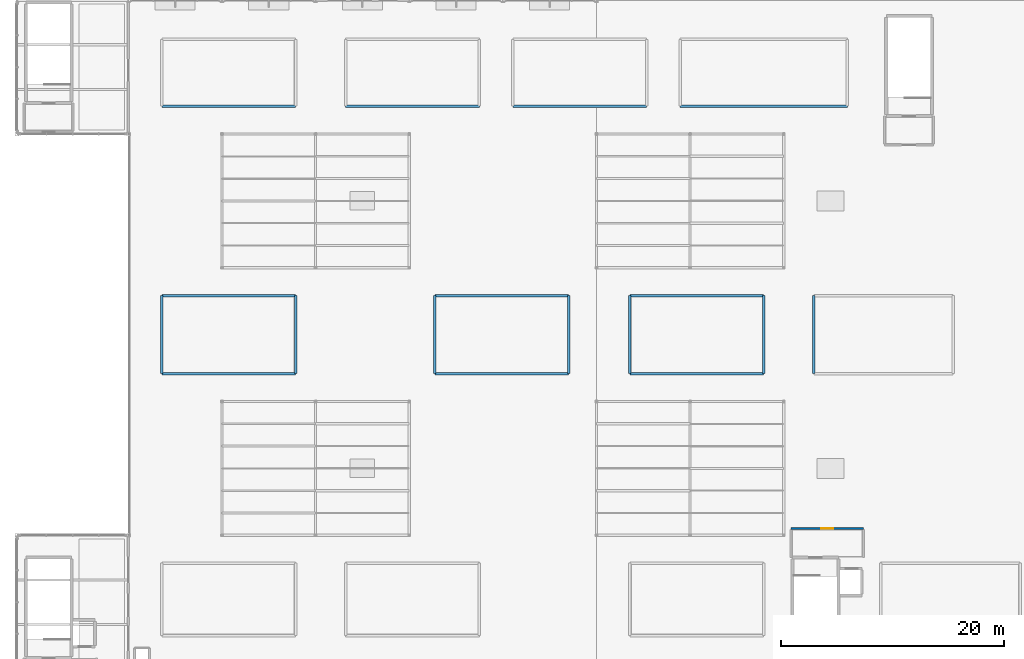
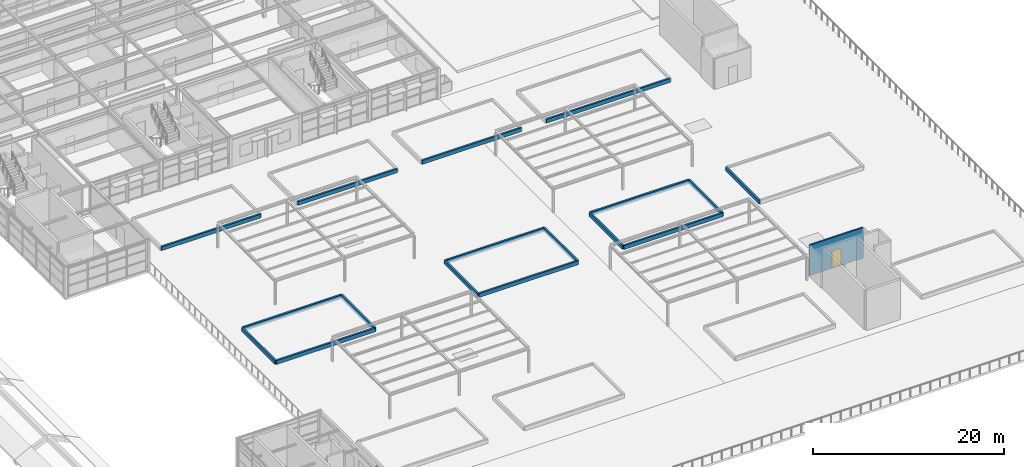
# One storey, part 40 of 49: 18 walls, 1 door, 1 opening.
"""IFC4 building model written with IfcOpenShell, lengths in metres."""

from ifc_helpers import new_model, si_unit, direction, frame, frame_2d, origin, place, context, subcontext, project, spatial, rectangle, extrude, material, layer, layer_set, type_object, element, fill, save


model = new_model("IFC4")

# Units and contexts
model_context = context("Model", 3, precision=1e-05, world=origin(), true_north=direction((0.0, 1.0)))
body_context = subcontext(model_context, "Body", "Model", "MODEL_VIEW")
ifc_project = project(units=[si_unit("LENGTHUNIT", "METRE"), si_unit("AREAUNIT", "SQUARE_METRE"), si_unit("VOLUMEUNIT", "CUBIC_METRE"), si_unit("PLANEANGLEUNIT", "RADIAN"), si_unit("MASSUNIT", "GRAM", prefix="KILO")], contexts=[model_context])

# Site, building, storey
site_placement = place(None, origin())
site = spatial("IfcSite", under=ifc_project, at=site_placement, CompositionType="ELEMENT")
building_placement = place(site_placement, origin())
building = spatial("IfcBuilding", under=site, at=building_placement, Name="Sitalva Quay Ferry Terminal", CompositionType="ELEMENT")
storey_placement = place(building_placement, frame((0.0, 0.0, 10.199951171875)))
storey = spatial("IfcBuildingStorey", under=building, at=storey_placement, Name="L03", CompositionType="ELEMENT", Elevation=10.199951171875)

# Wall, opening, door
ifc_material_1 = material(Name="Fire-Rated Blockwork C25/30", Category="masonry")
ifc_layer_1 = layer(ifc_material_1, 0.179931640625)
ifc_layer_set_1 = layer_set([ifc_layer_1], Name="Fire-Rated Blockwork C25/30")
wall_type_1 = type_object("IfcWallType", Name="Wall_FireLobby_180", PredefinedType="SOLIDWALL", material=ifc_layer_set_1)
wall_1_placement = place(storey_placement, frame((143.449951171875, 30.60009765625, 0.0), z_axis=(0.0, 0.0, 1.0), x_axis=(1.0, 0.0, 0.0)))
wall_1 = element("IfcWall", 1, at=wall_1_placement, inside=storey, type_object=wall_type_1, Name="Firefighting & Lift Lobby C8 N wall IW-L03-0079", PredefinedType="SOLIDWALL", context=body_context, shape_type="SweptSolid", body=[
    extrude(rectangle(XDim=6.5, YDim=0.179931640625, at=frame_2d((3.25, 0.0))), origin(), (0.0, 0.0, 1.0), 3.900146484375),
])
opening_placement = place(wall_1_placement, frame((2.699951171875, 0.0, 0.0)))
opening = element("IfcOpeningElement", 2, at=opening_placement, cuts=wall_1, Name="Opening ID-L03-027", PredefinedType="OPENING", context=body_context, shape_type="SweptSolid", body=[
    extrude(rectangle(XDim=1.10009765625, YDim=2.199951171875, at=frame_2d((0.550048828125, 1.10009765625))), frame((0.0, 0.099853515625, 0.0), z_axis=(0.0, -1.0, 0.0), x_axis=(1.0, 0.0, 0.0)), (0.0, 0.0, 1.0), 0.199951171875),
])
ifc_material_2 = material(Name="Steel Fire Door", Category="steel")
door_type = type_object("IfcDoorType", Name="Door_FireLobby_1100x2200", OperationType="SINGLE_SWING_LEFT", PredefinedType="DOOR", material=ifc_material_2)
door_placement = place(opening_placement, origin())
door = element("IfcDoor", 3, at=door_placement, inside=storey, type_object=door_type, Name="IDOOR-ID-L03-027 Firefighting & Lift Lobby C8 entrance ID-L03-027", OperationType="SINGLE_SWING_LEFT", OverallHeight=2.199951171875, OverallWidth=1.10009765625, PredefinedType="DOOR", context=body_context, shape_type="SweptSolid", body=[
    extrude(rectangle(XDim=1.10009765625, YDim=2.199951171875, at=frame_2d((0.550048828125, 1.10009765625))), frame((0.0, 0.02490234375, 0.0), z_axis=(0.0, -1.0, 0.0), x_axis=(1.0, 0.0, 0.0)), (0.0, 0.0, 1.0), 0.050048828125),
])
fill(opening, door)

# Walls
ifc_material_3 = material(Name="Concrete C35/45", Category="concrete")
ifc_layer_2 = layer(ifc_material_3, 0.219970703125)
ifc_layer_set_2 = layer_set([ifc_layer_2], Name="Concrete C35/45")
wall_type_2 = type_object("IfcWallType", Name="Wall_PlanterKerb_220", PredefinedType="PARAPET", material=ifc_layer_set_2)
for number, where, z_axis, x_axis, name in (
    (4, (87.0, 44.5, 0.0), (0.0, 0.0, 1.0), (1.0, 0.0, 0.0), "Roof park planted parterre 05 kerb S"),
    (5, (87.0, 51.5, 0.0), (0.0, 0.0, 1.0), (1.0, 0.0, 0.0), "Roof park planted parterre 05 kerb N"),
):
    element("IfcWall", number, at=place(storey_placement, frame(where, z_axis=z_axis, x_axis=x_axis)), inside=storey, type_object=wall_type_2, Name=name, PredefinedType="PARAPET", context=body_context, shape_type="SweptSolid", body=[
        extrude(rectangle(XDim=12.0, YDim=0.219970703125, at=frame_2d((6.0, 0.0))), origin(), (0.0, 0.0, 1.0), 0.47998046875),
    ])
for number, where, z_axis, x_axis, name in (
    (6, (87.0, 44.5, 0.0), (0.0, 0.0, 1.0), (0.0, 1.0, 0.0), "Roof park planted parterre 05 kerb W"),
    (7, (99.0, 44.5, 0.0), (0.0, 0.0, 1.0), (0.0, 1.0, 0.0), "Roof park planted parterre 05 kerb E"),
):
    element("IfcWall", number, at=place(storey_placement, frame(where, z_axis=z_axis, x_axis=x_axis)), inside=storey, type_object=wall_type_2, Name=name, PredefinedType="PARAPET", context=body_context, shape_type="SweptSolid", body=[
        extrude(rectangle(XDim=7.0, YDim=0.219970703125, at=frame_2d((3.5, 0.0))), origin(), (0.0, 0.0, 1.0), 0.47998046875),
    ])
for number, where, z_axis, x_axis, name in (
    (8, (111.5, 44.5, 0.0), (0.0, 0.0, 1.0), (1.0, 0.0, 0.0), "Roof park planted parterre 06 kerb S"),
    (9, (111.5, 51.5, 0.0), (0.0, 0.0, 1.0), (1.0, 0.0, 0.0), "Roof park planted parterre 06 kerb N"),
):
    element("IfcWall", number, at=place(storey_placement, frame(where, z_axis=z_axis, x_axis=x_axis)), inside=storey, type_object=wall_type_2, Name=name, PredefinedType="PARAPET", context=body_context, shape_type="SweptSolid", body=[
        extrude(rectangle(XDim=12.0, YDim=0.219970703125, at=frame_2d((6.0, 0.0))), origin(), (0.0, 0.0, 1.0), 0.47998046875),
    ])
for number, where, z_axis, x_axis, name in (
    (10, (111.5, 44.5, 0.0), (0.0, 0.0, 1.0), (0.0, 1.0, 0.0), "Roof park planted parterre 06 kerb W"),
    (11, (123.5, 44.5, 0.0), (0.0, 0.0, 1.0), (0.0, 1.0, 0.0), "Roof park planted parterre 06 kerb E"),
):
    element("IfcWall", number, at=place(storey_placement, frame(where, z_axis=z_axis, x_axis=x_axis)), inside=storey, type_object=wall_type_2, Name=name, PredefinedType="PARAPET", context=body_context, shape_type="SweptSolid", body=[
        extrude(rectangle(XDim=7.0, YDim=0.219970703125, at=frame_2d((3.5, 0.0))), origin(), (0.0, 0.0, 1.0), 0.47998046875),
    ])
for number, where, z_axis, x_axis, name in (
    (12, (129.0, 44.5, 0.0), (0.0, 0.0, 1.0), (1.0, 0.0, 0.0), "Roof park planted parterre 07 kerb S"),
    (13, (129.0, 51.5, 0.0), (0.0, 0.0, 1.0), (1.0, 0.0, 0.0), "Roof park planted parterre 07 kerb N"),
):
    element("IfcWall", number, at=place(storey_placement, frame(where, z_axis=z_axis, x_axis=x_axis)), inside=storey, type_object=wall_type_2, Name=name, PredefinedType="PARAPET", context=body_context, shape_type="SweptSolid", body=[
        extrude(rectangle(XDim=12.0, YDim=0.219970703125, at=frame_2d((6.0, 0.0))), origin(), (0.0, 0.0, 1.0), 0.47998046875),
    ])
for number, where, z_axis, x_axis, name in (
    (14, (129.0, 44.5, 0.0), (0.0, 0.0, 1.0), (0.0, 1.0, 0.0), "Roof park planted parterre 07 kerb W"),
    (15, (141.0, 44.5, 0.0), (0.0, 0.0, 1.0), (0.0, 1.0, 0.0), "Roof park planted parterre 07 kerb E"),
    (16, (145.5, 44.5, 0.0), (0.0, 0.0, 1.0), (0.0, 1.0, 0.0), "Roof park planted parterre 08 kerb W"),
):
    element("IfcWall", number, at=place(storey_placement, frame(where, z_axis=z_axis, x_axis=x_axis)), inside=storey, type_object=wall_type_2, Name=name, PredefinedType="PARAPET", context=body_context, shape_type="SweptSolid", body=[
        extrude(rectangle(XDim=7.0, YDim=0.219970703125, at=frame_2d((3.5, 0.0))), origin(), (0.0, 0.0, 1.0), 0.47998046875),
    ])
for number, where, z_axis, x_axis, name in (
    (17, (87.0, 68.5, 0.0), (0.0, 0.0, 1.0), (1.0, 0.0, 0.0), "Roof park planted parterre 09 kerb S"),
    (18, (103.5, 68.5, 0.0), (0.0, 0.0, 1.0), (1.0, 0.0, 0.0), "Roof park planted parterre 10 kerb S"),
    (19, (118.5, 68.5, 0.0), (0.0, 0.0, 1.0), (1.0, 0.0, 0.0), "Roof park planted parterre 11 kerb S"),
):
    element("IfcWall", number, at=place(storey_placement, frame(where, z_axis=z_axis, x_axis=x_axis)), inside=storey, type_object=wall_type_2, Name=name, PredefinedType="PARAPET", context=body_context, shape_type="SweptSolid", body=[
        extrude(rectangle(XDim=12.0, YDim=0.219970703125, at=frame_2d((6.0, 0.0))), origin(), (0.0, 0.0, 1.0), 0.47998046875),
    ])
wall_2_placement = place(storey_placement, frame((133.5, 68.5, 0.0), z_axis=(0.0, 0.0, 1.0), x_axis=(1.0, 0.0, 0.0)))
element("IfcWall", 20, at=wall_2_placement, inside=storey, type_object=wall_type_2, Name="Roof park planted parterre 12 kerb S", PredefinedType="PARAPET", context=body_context, shape_type="SweptSolid", body=[
    extrude(rectangle(XDim=15.0, YDim=0.219970703125, at=frame_2d((7.5, 0.0))), origin(), (0.0, 0.0, 1.0), 0.47998046875),
])

save(model, "model.ifc")
